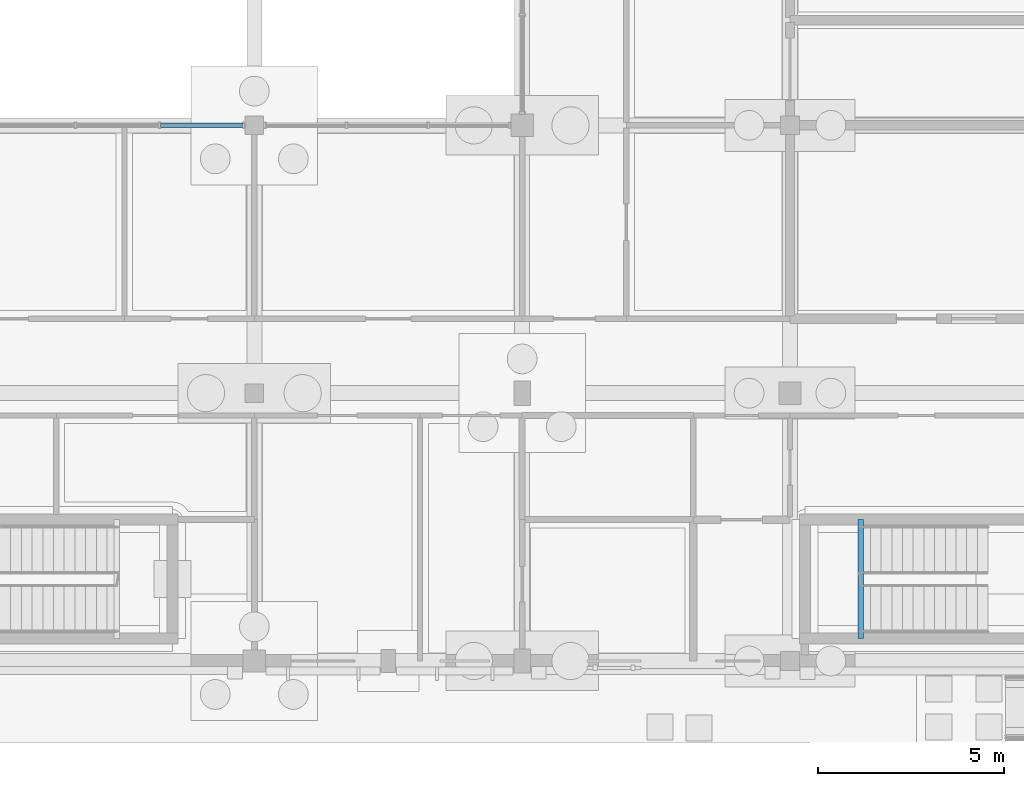
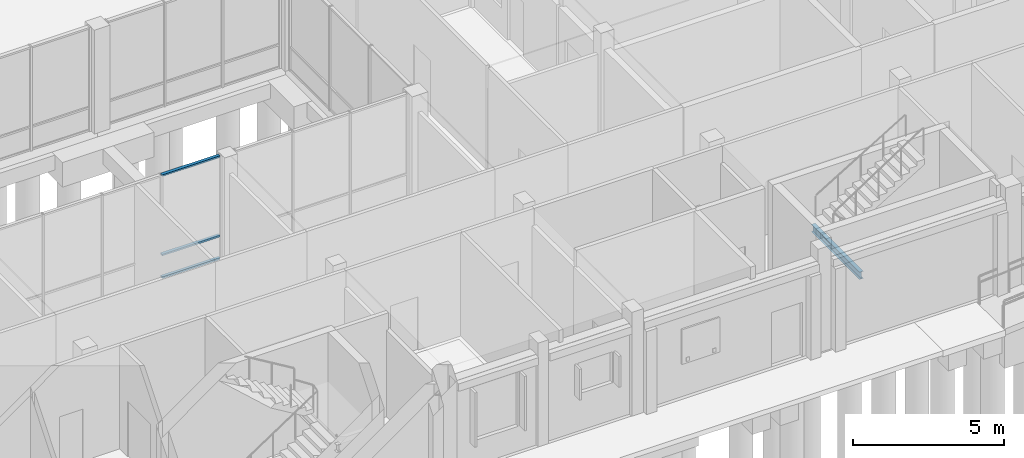
# One storey, part 53 of 104: 3 members, 1 beam, 1 element without a shape of its own.
"""IFC4 building model written with IfcOpenShell, lengths in metres."""

from ifc_helpers import new_model, si_unit, direction, frame, origin, origin_2d, place, context, subcontext, project, spatial, hollow_rectangle, i_section, extrude, material, material_profile, profile_set, type_object, element, aggregate, save


model = new_model("IFC4")

# Units and contexts
model_context = context("Model", 3, precision=1e-05, world=origin(), true_north=direction((0.0, 1.0)))
body_context = subcontext(model_context, "Body", "Model", "MODEL_VIEW")
ifc_project = project(units=[si_unit("LENGTHUNIT", "METRE"), si_unit("AREAUNIT", "SQUARE_METRE"), si_unit("VOLUMEUNIT", "CUBIC_METRE"), si_unit("PLANEANGLEUNIT", "RADIAN"), si_unit("MASSUNIT", "GRAM", prefix="KILO")], contexts=[model_context])

# Site, building, storey
site_placement = place(None, origin())
site = spatial("IfcSite", under=ifc_project, at=site_placement, CompositionType="ELEMENT")
building_placement = place(site_placement, origin())
building = spatial("IfcBuilding", under=site, at=building_placement, Name="Hawrajan Terrace Health Centre", CompositionType="ELEMENT")
storey_placement = place(building_placement, origin())
storey = spatial("IfcBuildingStorey", under=building, at=storey_placement, Name="L00", CompositionType="ELEMENT", Elevation=0.0)

# Curtain wall, members
ifc_material_1 = material(Name="Anodized bronze aluminium and low-E solar glazing", Category="aluminium")
curtain_wall_type = type_object("IfcCurtainWallType", Name="CW_Clerestory_SeriesG3", PredefinedType="USERDEFINED", material=ifc_material_1)
curtain_wall_placement = place(storey_placement, origin())
curtain_wall = element("IfcCurtainWall", 1, at=curtain_wall_placement, inside=storey, type_object=curtain_wall_type, Name="Curtain wall CW-L00-042", ObjectType="UNITISED CURTAIN WALL", PredefinedType="USERDEFINED")
ifc_material_2 = material(Name="Anodized bronze aluminium 6063-T6", Category="aluminium")
ifc_material_profile_1 = material_profile(ifc_material_2, hollow_rectangle(XDim=0.06494140625, YDim=0.1201171875, WallThickness=0.00341796875, at=origin_2d()), Name="CW TRN 65x120")
ifc_profile_set_1 = profile_set([ifc_material_profile_1], Name="Anodized bronze aluminium 6063-T6")
member_type = type_object("IfcMemberType", Name="CWTransom_65x120", PredefinedType="USERDEFINED", material=ifc_profile_set_1)
member_1_placement = place(storey_placement, frame((98.0791015625, 18.60009765625, 0.032470703125), z_axis=(1.0, 0.0, 0.0), x_axis=(0.0, 0.0, 1.0)))
member_1 = element("IfcMember", 2, at=member_1_placement, type_object=member_type, Name="Transom CW-L00-042-T4-1", ObjectType="TRANSOM", PredefinedType="USERDEFINED", context=body_context, shape_type="SweptSolid", body=[
    extrude(hollow_rectangle(XDim=0.06494140625, YDim=0.1201171875, WallThickness=0.00341796875, at=origin_2d()), origin(), (0.0, 0.0, 1.0), 2.2119140625),
])
member_2_placement = place(storey_placement, frame((98.0791015625, 18.60009765625, 0.949951171875), z_axis=(1.0, 0.0, 0.0), x_axis=(0.0, 0.0, 1.0)))
member_2 = element("IfcMember", 3, at=member_2_placement, type_object=member_type, Name="Transom CW-L00-042-T4-2", ObjectType="TRANSOM", PredefinedType="USERDEFINED", context=body_context, shape_type="SweptSolid", body=[
    extrude(hollow_rectangle(XDim=0.06494140625, YDim=0.1201171875, WallThickness=0.00341796875, at=origin_2d()), origin(), (0.0, 0.0, 1.0), 2.2119140625),
])
member_3_placement = place(storey_placement, frame((98.0791015625, 18.60009765625, 4.16748046875), z_axis=(1.0, 0.0, 0.0), x_axis=(0.0, 0.0, 1.0)))
member_3 = element("IfcMember", 4, at=member_3_placement, type_object=member_type, Name="Transom CW-L00-042-T4-3", ObjectType="TRANSOM", PredefinedType="USERDEFINED", context=body_context, shape_type="SweptSolid", body=[
    extrude(hollow_rectangle(XDim=0.06494140625, YDim=0.1201171875, WallThickness=0.00341796875, at=origin_2d()), origin(), (0.0, 0.0, 1.0), 2.2119140625),
])
aggregate(curtain_wall, [member_1, member_2, member_3])

# Beam
ifc_material_3 = material(Name="Steel S355", Category="steel")
ifc_material_profile_2 = material_profile(ifc_material_3, i_section(OverallWidth=0.14990234375, OverallDepth=0.300048828125, WebThickness=0.007080078125, FlangeThickness=0.0107421875, FilletRadius=0.014892578125, at=origin_2d()), Name="IPE 300")
ifc_profile_set_2 = profile_set([ifc_material_profile_2], Name="Steel S355")
beam_type = type_object("IfcBeamType", Name="SteelBeam_IPE300", PredefinedType="JOIST", material=ifc_profile_set_2)
beam_placement = place(storey_placement, frame((116.89990234375, 4.800048828125, 1.8798828125), z_axis=(0.0, 1.0, 0.0), x_axis=(-1.0, 0.0, 0.0)))
element("IfcBeam", 5, at=beam_placement, inside=storey, type_object=beam_type, Name="Stair half-landing trimmer ST-6-L00-B1", PredefinedType="JOIST", context=body_context, shape_type="SweptSolid", body=[
    extrude(i_section(OverallWidth=0.14990234375, OverallDepth=0.300048828125, WebThickness=0.007080078125, FlangeThickness=0.0107421875, FilletRadius=0.014892578125, at=origin_2d()), origin(), (0.0, 0.0, 1.0), 3.199951171875),
])

save(model, "model.ifc")
